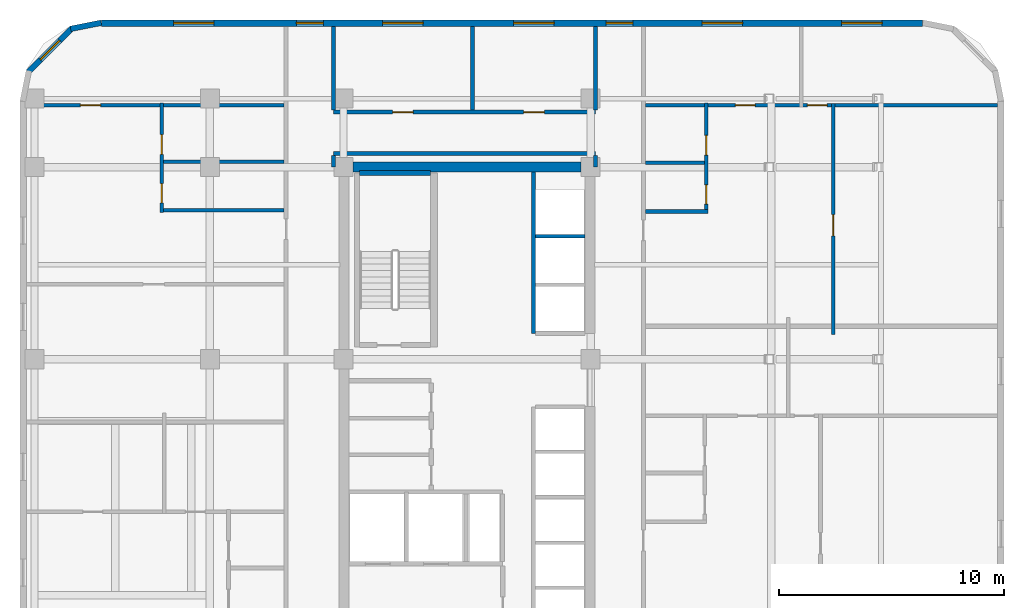
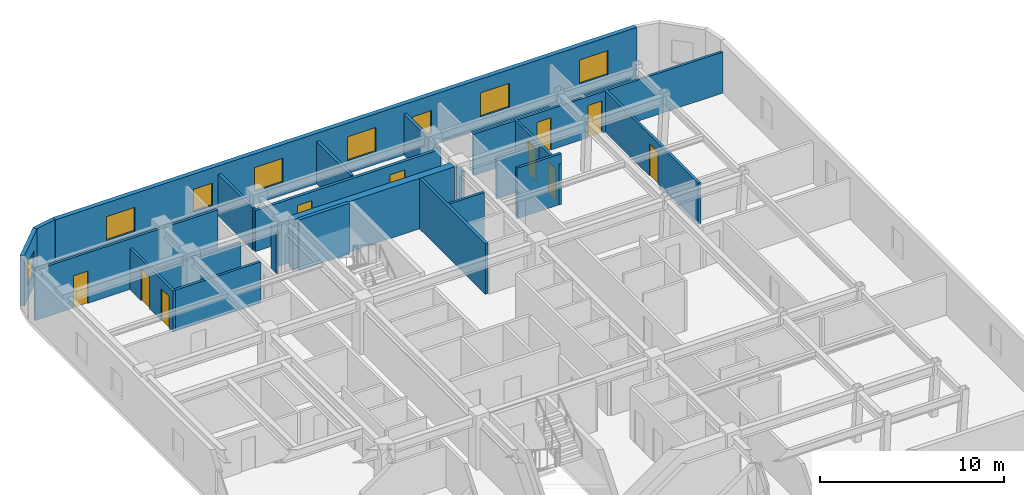
# One storey, part 6 of 8: 23 walls, 10 doors, 8 windows, 18 openings.
"""IFC4 building model written with IfcOpenShell, lengths in metres."""

from ifc_helpers import new_model, si_unit, direction, frame, frame_2d, origin, place, context, subcontext, project, spatial, rectangle, extrude, material, layer, layer_set, type_object, element, fill, save


model = new_model("IFC4")

# Units and contexts
model_context = context("Model", 3, precision=1e-05, world=origin(), true_north=direction((0.0, 1.0)))
body_context = subcontext(model_context, "Body", "Model", "MODEL_VIEW")
ifc_project = project(units=[si_unit("LENGTHUNIT", "METRE"), si_unit("AREAUNIT", "SQUARE_METRE"), si_unit("VOLUMEUNIT", "CUBIC_METRE"), si_unit("PLANEANGLEUNIT", "RADIAN"), si_unit("MASSUNIT", "GRAM", prefix="KILO")], contexts=[model_context])

# Site, building, storey
site_placement = place(None, origin())
site = spatial("IfcSite", under=ifc_project, at=site_placement, CompositionType="ELEMENT")
building_placement = place(site_placement, origin())
building = spatial("IfcBuilding", under=site, at=building_placement, Name="Ochreholt Gables", CompositionType="ELEMENT")
storey_placement = place(building_placement, frame((0.0, 0.0, 91.199951171875)))
storey = spatial("IfcBuildingStorey", under=building, at=storey_placement, Name="L23", CompositionType="ELEMENT", Elevation=91.199951171875)

# Wall
ifc_material_1 = material(Name="Concrete 60 MPa", Category="concrete")
ifc_layer_1 = layer(ifc_material_1, 0.449951171875, Name="Concrete 60 MPa")
ifc_layer_set_1 = layer_set([ifc_layer_1], Name="Concrete 60 MPa")
wall_type_1 = type_object("IfcWallType", Name="WALL-CSW-450", PredefinedType="SHEAR", material=ifc_layer_set_1)
wall_1_placement = place(storey_placement, frame((24.625, 38.75, 0.0), z_axis=(0.0, 0.0, 1.0), x_axis=(1.0, 0.0, 0.0)))
element("IfcWall", 1, at=wall_1_placement, inside=storey, type_object=wall_type_1, Name="L23 Core North Shear Wall", PredefinedType="SHEAR", context=body_context, shape_type="SweptSolid", body=[
    extrude(rectangle(XDim=10.14990234375, YDim=0.449951171875, at=frame_2d((5.074951171875, 0.0))), origin(), (0.0, 0.0, 1.0), 3.360107421875),
])

# Wall, openings, windows
ifc_material_2 = material(Name="Precast concrete 40 MPa", Category="concrete")
ifc_layer_2 = layer(ifc_material_2, 0.280029296875, Name="Precast concrete 40 MPa")
ifc_layer_set_2 = layer_set([ifc_layer_2], Name="Precast concrete 40 MPa")
wall_type_2 = type_object("IfcWallType", Name="WALL-EXT-280", PredefinedType="SOLIDWALL", material=ifc_layer_set_2)
wall_2_placement = place(storey_placement, frame((49.97998046875, 45.159912109375, 0.0), z_axis=(0.0, 0.0, 1.0), x_axis=(-1.0, 0.0, 0.0)))
wall_2 = element("IfcWall", 2, at=wall_2_placement, inside=storey, type_object=wall_type_2, Name="L23 North Exterior Wall", PredefinedType="SOLIDWALL", context=body_context, shape_type="SweptSolid", body=[
    extrude(rectangle(XDim=36.56005859375, YDim=0.280029296875, at=frame_2d((18.280029296875, 0.0))), origin(), (0.0, 0.0, 1.0), 3.360107421875),
])
opening_1_placement = place(wall_2_placement, frame((31.544921875, 0.0, 0.85009765625)))
opening_1 = element("IfcOpeningElement", 3, at=opening_1_placement, cuts=wall_2, Name="Opening WN-1", PredefinedType="OPENING", context=body_context, shape_type="SweptSolid", body=[
    extrude(rectangle(XDim=1.800048828125, YDim=1.60009765625, at=frame_2d((0.89990234375, 0.800048828125))), frame((0.0, 0.14990234375, 0.0), z_axis=(0.0, -1.0, 0.0), x_axis=(1.0, 0.0, 0.0)), (0.0, 0.0, 1.0), 0.300048828125),
])
opening_2_placement = place(wall_2_placement, frame((26.679931640625, 0.0, 0.85009765625)))
opening_2 = element("IfcOpeningElement", 4, at=opening_2_placement, cuts=wall_2, Name="Opening WN-3", PredefinedType="OPENING", context=body_context, shape_type="SweptSolid", body=[
    extrude(rectangle(XDim=1.199951171875, YDim=1.5, at=frame_2d((0.60009765625, 0.75))), frame((0.0, 0.14990234375, 0.0), z_axis=(0.0, -1.0, 0.0), x_axis=(1.0, 0.0, 0.0)), (0.0, 0.0, 1.0), 0.300048828125),
])
opening_3_placement = place(wall_2_placement, frame((22.2373046875, 0.0, 0.85009765625)))
opening_3 = element("IfcOpeningElement", 5, at=opening_3_placement, cuts=wall_2, Name="Opening WN-1", PredefinedType="OPENING", context=body_context, shape_type="SweptSolid", body=[
    extrude(rectangle(XDim=1.800048828125, YDim=1.60009765625, at=frame_2d((0.89990234375, 0.800048828125))), frame((0.0, 0.14990234375, 0.0), z_axis=(0.0, -1.0, 0.0), x_axis=(1.0, 0.0, 0.0)), (0.0, 0.0, 1.0), 0.300048828125),
])
opening_4_placement = place(wall_2_placement, frame((16.40234375, 0.0, 0.85009765625)))
opening_4 = element("IfcOpeningElement", 6, at=opening_4_placement, cuts=wall_2, Name="Opening WN-1", PredefinedType="OPENING", context=body_context, shape_type="SweptSolid", body=[
    extrude(rectangle(XDim=1.800048828125, YDim=1.60009765625, at=frame_2d((0.89990234375, 0.800048828125))), frame((0.0, 0.14990234375, 0.0), z_axis=(0.0, -1.0, 0.0), x_axis=(1.0, 0.0, 0.0)), (0.0, 0.0, 1.0), 0.300048828125),
])
opening_5_placement = place(wall_2_placement, frame((12.89501953125, 0.0, 0.85009765625)))
opening_5 = element("IfcOpeningElement", 7, at=opening_5_placement, cuts=wall_2, Name="Opening WN-3", PredefinedType="OPENING", context=body_context, shape_type="SweptSolid", body=[
    extrude(rectangle(XDim=1.199951171875, YDim=1.5, at=frame_2d((0.60009765625, 0.75))), frame((0.0, 0.14990234375, 0.0), z_axis=(0.0, -1.0, 0.0), x_axis=(1.0, 0.0, 0.0)), (0.0, 0.0, 1.0), 0.300048828125),
])
opening_6_placement = place(wall_2_placement, frame((8.017333984375, 0.0, 0.85009765625)))
opening_6 = element("IfcOpeningElement", 8, at=opening_6_placement, cuts=wall_2, Name="Opening WN-1", PredefinedType="OPENING", context=body_context, shape_type="SweptSolid", body=[
    extrude(rectangle(XDim=1.800048828125, YDim=1.60009765625, at=frame_2d((0.89990234375, 0.800048828125))), frame((0.0, 0.14990234375, 0.0), z_axis=(0.0, -1.0, 0.0), x_axis=(1.0, 0.0, 0.0)), (0.0, 0.0, 1.0), 0.300048828125),
])
opening_7_placement = place(wall_2_placement, frame((1.802490234375, 0.0, 0.85009765625)))
opening_7 = element("IfcOpeningElement", 9, at=opening_7_placement, cuts=wall_2, Name="Opening WN-1", PredefinedType="OPENING", context=body_context, shape_type="SweptSolid", body=[
    extrude(rectangle(XDim=1.800048828125, YDim=1.60009765625, at=frame_2d((0.89990234375, 0.800048828125))), frame((0.0, 0.14990234375, 0.0), z_axis=(0.0, -1.0, 0.0), x_axis=(1.0, 0.0, 0.0)), (0.0, 0.0, 1.0), 0.300048828125),
])
ifc_material_3 = material(Name="Triple-Glazed Thermally Broken Aluminium Window", Category="aluminium")
window_type_1 = type_object("IfcWindowType", Name="WIN-RES-1200", PartitioningType="SINGLE_PANEL", PredefinedType="WINDOW", material=ifc_material_3)
window_1_placement = place(opening_2_placement, origin())
window_1 = element("IfcWindow", 10, at=window_1_placement, inside=storey, type_object=window_type_1, Name="L23 Window W-EXT-N-L23-2", OverallHeight=1.5, OverallWidth=1.199951171875, PartitioningType="SINGLE_PANEL", PredefinedType="WINDOW", context=body_context, shape_type="SweptSolid", body=[
    extrude(rectangle(XDim=1.199951171875, YDim=1.5, at=frame_2d((0.60009765625, 0.75))), frame((0.0, 0.030029296875, 0.0), z_axis=(0.0, -1.0, 0.0), x_axis=(1.0, 0.0, 0.0)), (0.0, 0.0, 1.0), 0.06005859375),
])
fill(opening_2, window_1)
window_2_placement = place(opening_5_placement, origin())
window_2 = element("IfcWindow", 11, at=window_2_placement, inside=storey, type_object=window_type_1, Name="L23 Window W-EXT-N-L23-5", OverallHeight=1.5, OverallWidth=1.199951171875, PartitioningType="SINGLE_PANEL", PredefinedType="WINDOW", context=body_context, shape_type="SweptSolid", body=[
    extrude(rectangle(XDim=1.199951171875, YDim=1.5, at=frame_2d((0.60009765625, 0.75))), frame((0.0, 0.030029296875, 0.0), z_axis=(0.0, -1.0, 0.0), x_axis=(1.0, 0.0, 0.0)), (0.0, 0.0, 1.0), 0.06005859375),
])
fill(opening_5, window_2)
window_type_2 = type_object("IfcWindowType", Name="WIN-RES-1800", PartitioningType="SINGLE_PANEL", PredefinedType="WINDOW", material=ifc_material_3)
window_3_placement = place(opening_1_placement, origin())
window_3 = element("IfcWindow", 12, at=window_3_placement, inside=storey, type_object=window_type_2, Name="L23 Window W-EXT-N-L23-1", OverallHeight=1.60009765625, OverallWidth=1.800048828125, PartitioningType="SINGLE_PANEL", PredefinedType="WINDOW", context=body_context, shape_type="SweptSolid", body=[
    extrude(rectangle(XDim=1.800048828125, YDim=1.60009765625, at=frame_2d((0.89990234375, 0.800048828125))), frame((0.0, 0.030029296875, 0.0), z_axis=(0.0, -1.0, 0.0), x_axis=(1.0, 0.0, 0.0)), (0.0, 0.0, 1.0), 0.06005859375),
])
fill(opening_1, window_3)
window_4_placement = place(opening_3_placement, origin())
window_4 = element("IfcWindow", 13, at=window_4_placement, inside=storey, type_object=window_type_2, Name="L23 Window W-EXT-N-L23-3", OverallHeight=1.60009765625, OverallWidth=1.800048828125, PartitioningType="SINGLE_PANEL", PredefinedType="WINDOW", context=body_context, shape_type="SweptSolid", body=[
    extrude(rectangle(XDim=1.800048828125, YDim=1.60009765625, at=frame_2d((0.89990234375, 0.800048828125))), frame((0.0, 0.030029296875, 0.0), z_axis=(0.0, -1.0, 0.0), x_axis=(1.0, 0.0, 0.0)), (0.0, 0.0, 1.0), 0.06005859375),
])
fill(opening_3, window_4)
window_5_placement = place(opening_4_placement, origin())
window_5 = element("IfcWindow", 14, at=window_5_placement, inside=storey, type_object=window_type_2, Name="L23 Window W-EXT-N-L23-4", OverallHeight=1.60009765625, OverallWidth=1.800048828125, PartitioningType="SINGLE_PANEL", PredefinedType="WINDOW", context=body_context, shape_type="SweptSolid", body=[
    extrude(rectangle(XDim=1.800048828125, YDim=1.60009765625, at=frame_2d((0.89990234375, 0.800048828125))), frame((0.0, 0.030029296875, 0.0), z_axis=(0.0, -1.0, 0.0), x_axis=(1.0, 0.0, 0.0)), (0.0, 0.0, 1.0), 0.06005859375),
])
fill(opening_4, window_5)
window_6_placement = place(opening_6_placement, origin())
window_6 = element("IfcWindow", 15, at=window_6_placement, inside=storey, type_object=window_type_2, Name="L23 Window W-EXT-N-L23-6", OverallHeight=1.60009765625, OverallWidth=1.800048828125, PartitioningType="SINGLE_PANEL", PredefinedType="WINDOW", context=body_context, shape_type="SweptSolid", body=[
    extrude(rectangle(XDim=1.800048828125, YDim=1.60009765625, at=frame_2d((0.89990234375, 0.800048828125))), frame((0.0, 0.030029296875, 0.0), z_axis=(0.0, -1.0, 0.0), x_axis=(1.0, 0.0, 0.0)), (0.0, 0.0, 1.0), 0.06005859375),
])
fill(opening_6, window_6)
window_7_placement = place(opening_7_placement, origin())
window_7 = element("IfcWindow", 16, at=window_7_placement, inside=storey, type_object=window_type_2, Name="L23 Window W-EXT-N-L23-7", OverallHeight=1.60009765625, OverallWidth=1.800048828125, PartitioningType="SINGLE_PANEL", PredefinedType="WINDOW", context=body_context, shape_type="SweptSolid", body=[
    extrude(rectangle(XDim=1.800048828125, YDim=1.60009765625, at=frame_2d((0.89990234375, 0.800048828125))), frame((0.0, 0.030029296875, 0.0), z_axis=(0.0, -1.0, 0.0), x_axis=(1.0, 0.0, 0.0)), (0.0, 0.0, 1.0), 0.06005859375),
])
fill(opening_7, window_7)

# Wall
ifc_layer_3 = layer(ifc_material_2, 0.25, Name="Precast concrete 40 MPa")
ifc_layer_set_3 = layer_set([ifc_layer_3], Name="Precast concrete 40 MPa")
wall_type_3 = type_object("IfcWallType", Name="WALL-EXT-CNR", PredefinedType="SOLIDWALL", material=ifc_layer_set_3)
wall_3_placement = place(storey_placement, frame((13.41650390625, 45.17578125, 0.0), z_axis=(0.0, 0.0, 1.0), x_axis=(-0.980809899341, -0.19496651342, 0.0)))
element("IfcWall", 17, at=wall_3_placement, inside=storey, type_object=wall_type_3, Name="L23 Rounded Corner Wall NW-1", PredefinedType="SOLIDWALL", context=body_context, shape_type="SweptSolid", body=[
    extrude(rectangle(XDim=1.388671875, YDim=0.25, at=frame_2d((0.6943359375, 0.0))), origin(), (0.0, 0.0, 1.0), 3.360107421875),
])

# Wall, opening, window
wall_4_placement = place(storey_placement, frame((12.10498046875, 44.931884765625, 0.0), z_axis=(0.0, 0.0, 1.0), x_axis=(-0.707151344399, -0.707062215165, 0.0)))
wall_4 = element("IfcWall", 18, at=wall_4_placement, inside=storey, type_object=wall_type_3, Name="L23 Rounded Corner Wall NW-2", PredefinedType="SOLIDWALL", context=body_context, shape_type="SweptSolid", body=[
    extrude(rectangle(XDim=2.7392578125, YDim=0.25, at=frame_2d((1.36962890625, 0.0))), origin(), (0.0, 0.0, 1.0), 3.360107421875),
])
opening_8_placement = place(wall_4_placement, frame((0.769775390625, 0.0, 0.85009765625)))
opening_8 = element("IfcOpeningElement", 19, at=opening_8_placement, cuts=wall_4, Name="Opening WN-3", PredefinedType="OPENING", context=body_context, shape_type="SweptSolid", body=[
    extrude(rectangle(XDim=1.199951171875, YDim=1.5, at=frame_2d((0.60009765625, 0.75))), frame((0.0, 0.135009765625, 0.0), z_axis=(0.0, -1.0, 0.0), x_axis=(1.0, 0.0, 0.0)), (0.0, 0.0, 1.0), 0.27001953125),
])
window_8_placement = place(opening_8_placement, origin())
window_8 = element("IfcWindow", 20, at=window_8_placement, inside=storey, type_object=window_type_1, Name="L23 Corner Bedroom Window NW", OverallHeight=1.5, OverallWidth=1.199951171875, PartitioningType="SINGLE_PANEL", PredefinedType="WINDOW", context=body_context, shape_type="SweptSolid", body=[
    extrude(rectangle(XDim=1.199951171875, YDim=1.5, at=frame_2d((0.60009765625, 0.75))), frame((0.0, 0.030029296875, 0.0), z_axis=(0.0, -1.0, 0.0), x_axis=(1.0, 0.0, 0.0)), (0.0, 0.0, 1.0), 0.06005859375),
])
fill(opening_8, window_8)

# Wall, openings, doors
ifc_material_4 = material(Name="Fire-Rated Gypsum Acoustic Partition", Category="gypsum")
ifc_layer_4 = layer(ifc_material_4, 0.179931640625, Name="Fire-Rated Gypsum Acoustic Partition")
ifc_layer_set_4 = layer_set([ifc_layer_4], Name="Fire-Rated Gypsum Acoustic Partition")
wall_type_4 = type_object("IfcWallType", Name="WALL-INT-CR180", PredefinedType="STANDARD", material=ifc_layer_set_4)
wall_5_placement = place(storey_placement, frame((23.75, 41.199951171875, 0.0), z_axis=(0.0, 0.0, 1.0), x_axis=(1.0, 0.0, 0.0)))
wall_5 = element("IfcWall", 21, at=wall_5_placement, inside=storey, type_object=wall_type_4, Name="L23 Interior Wall WI-C1N-L23", PredefinedType="STANDARD", context=body_context, shape_type="SweptSolid", body=[
    extrude(rectangle(XDim=11.669921875, YDim=0.179931640625, at=frame_2d((5.8349609375, 0.0))), origin(), (0.0, 0.0, 1.0), 2.73095703125),
])
opening_9_placement = place(wall_5_placement, frame((2.632568359375, 0.0, 0.0)))
opening_9 = element("IfcOpeningElement", 22, at=opening_9_placement, cuts=wall_5, Name="Opening D-UN1", PredefinedType="OPENING", context=body_context, shape_type="SweptSolid", body=[
    extrude(rectangle(XDim=0.919921875, YDim=2.14990234375, at=frame_2d((0.4599609375, 1.074951171875))), frame((0.0, 0.099853515625, 0.0), z_axis=(0.0, -1.0, 0.0), x_axis=(1.0, 0.0, 0.0)), (0.0, 0.0, 1.0), 0.199951171875),
])
opening_10_placement = place(wall_5_placement, frame((8.467529296875, 0.0, 0.0)))
opening_10 = element("IfcOpeningElement", 23, at=opening_10_placement, cuts=wall_5, Name="Opening D-UN1", PredefinedType="OPENING", context=body_context, shape_type="SweptSolid", body=[
    extrude(rectangle(XDim=0.919921875, YDim=2.14990234375, at=frame_2d((0.4599609375, 1.074951171875))), frame((0.0, 0.099853515625, 0.0), z_axis=(0.0, -1.0, 0.0), x_axis=(1.0, 0.0, 0.0)), (0.0, 0.0, 1.0), 0.199951171875),
])
ifc_material_5 = material(Name="Engineered Oak Timber", Category="wood")
door_type_1 = type_object("IfcDoorType", Name="DR-INT-UNT920", OperationType="NOTDEFINED", PredefinedType="DOOR", material=ifc_material_5)
door_1_placement = place(opening_9_placement, origin())
door_1 = element("IfcDoor", 24, at=door_1_placement, inside=storey, type_object=door_type_1, Name="L23 Door D-U-L23N1-ENT", OperationType="SINGLE_SWING_LEFT", OverallHeight=2.14990234375, OverallWidth=0.919921875, PredefinedType="DOOR", context=body_context, shape_type="SweptSolid", body=[
    extrude(rectangle(XDim=0.919921875, YDim=2.14990234375, at=frame_2d((0.4599609375, 1.074951171875))), frame((0.0, 0.02490234375, 0.0), z_axis=(0.0, -1.0, 0.0), x_axis=(1.0, 0.0, 0.0)), (0.0, 0.0, 1.0), 0.050048828125),
])
fill(opening_9, door_1)
door_2_placement = place(opening_10_placement, origin())
door_2 = element("IfcDoor", 25, at=door_2_placement, inside=storey, type_object=door_type_1, Name="L23 Door D-U-L23N2-ENT", OperationType="SINGLE_SWING_LEFT", OverallHeight=2.14990234375, OverallWidth=0.919921875, PredefinedType="DOOR", context=body_context, shape_type="SweptSolid", body=[
    extrude(rectangle(XDim=0.919921875, YDim=2.14990234375, at=frame_2d((0.4599609375, 1.074951171875))), frame((0.0, 0.02490234375, 0.0), z_axis=(0.0, -1.0, 0.0), x_axis=(1.0, 0.0, 0.0)), (0.0, 0.0, 1.0), 0.050048828125),
])
fill(opening_10, door_2)

# Walls
wall_6_placement = place(storey_placement, frame((23.75, 39.35009765625, 0.0), z_axis=(0.0, 0.0, 1.0), x_axis=(1.0, 0.0, 0.0)))
element("IfcWall", 26, at=wall_6_placement, inside=storey, type_object=wall_type_4, Name="L23 Interior Wall WI-C1N2-L23", PredefinedType="STANDARD", context=body_context, shape_type="SweptSolid", body=[
    extrude(rectangle(XDim=11.669921875, YDim=0.179931640625, at=frame_2d((5.8349609375, 0.0))), origin(), (0.0, 0.0, 1.0), 2.73095703125),
])
for number, where, z_axis, x_axis, name in (
    (27, (35.419921875, 38.75, 0.0), (0.0, 0.0, 1.0), (0.0, 1.0, 0.0), "L23 Interior Wall WI-C1ENW2-L23"),
    (28, (23.75, 38.75, 0.0), (0.0, 0.0, 1.0), (0.0, 1.0, 0.0), "L23 Interior Wall WI-C1NWA2-L23"),
):
    element("IfcWall", number, at=place(storey_placement, frame(where, z_axis=z_axis, x_axis=x_axis)), inside=storey, type_object=wall_type_4, Name=name, PredefinedType="STANDARD", context=body_context, shape_type="SweptSolid", body=[
        extrude(rectangle(XDim=0.510009765625, YDim=0.179931640625, at=frame_2d((0.2548828125, 0.0))), origin(), (0.0, 0.0, 1.0), 2.73095703125),
    ])
ifc_material_6 = material(Name="Double-Stud Acoustic Demising Wall", Category="gypsum")
ifc_layer_5 = layer(ifc_material_6, 0.179931640625, Name="Double-Stud Acoustic Demising Wall")
ifc_layer_set_5 = layer_set([ifc_layer_5], Name="Double-Stud Acoustic Demising Wall")
wall_type_5 = type_object("IfcWallType", Name="WALL-INT-DM180", PredefinedType="PARTITIONING", material=ifc_layer_set_5)
wall_7_placement = place(storey_placement, frame((35.419921875, 41.2900390625, 0.0), z_axis=(0.0, 0.0, 1.0), x_axis=(0.0, 1.0, 0.0)))
element("IfcWall", 29, at=wall_7_placement, inside=storey, type_object=wall_type_5, Name="L23 Interior Wall WI-C1ENW-L23", PredefinedType="PARTITIONING", context=body_context, shape_type="SweptSolid", body=[
    extrude(rectangle(XDim=3.72998046875, YDim=0.179931640625, at=frame_2d((1.864990234375, 0.0))), origin(), (0.0, 0.0, 1.0), 2.73095703125),
])
for number, where, z_axis, x_axis, name in (
    (30, (23.75, 41.2900390625, 0.0), (0.0, 0.0, 1.0), (0.0, 1.0, 0.0), "L23 Interior Wall WI-C1NWA-L23"),
    (31, (29.93505859375, 41.2900390625, 0.0), (0.0, 0.0, 1.0), (0.0, 1.0, 0.0), "L23 Interior Wall WI-UDN-L23"),
):
    element("IfcWall", number, at=place(storey_placement, frame(where, z_axis=z_axis, x_axis=x_axis)), inside=storey, type_object=wall_type_5, Name=name, PredefinedType="PARTITIONING", context=body_context, shape_type="SweptSolid", body=[
        extrude(rectangle(XDim=3.72998046875, YDim=0.179931640625, at=frame_2d((1.864990234375, 0.0))), origin(), (0.0, 0.0, 1.0), 2.80908203125),
    ])
ifc_material_7 = material(Name="Moisture-Resistant Plumbing Chase Wall", Category="gypsum")
ifc_layer_6 = layer(ifc_material_7, 0.159912109375, Name="Moisture-Resistant Plumbing Chase Wall")
ifc_layer_set_6 = layer_set([ifc_layer_6], Name="Moisture-Resistant Plumbing Chase Wall")
wall_type_6 = type_object("IfcWallType", Name="WALL-INT-PL160", PredefinedType="PLUMBINGWALL", material=ifc_layer_set_6)
wall_8_placement = place(storey_placement, frame((37.639892578125, 36.7744140625, 0.0), z_axis=(0.0, 0.0, 1.0), x_axis=(1.0, 0.0, 0.0)))
element("IfcWall", 32, at=wall_8_placement, inside=storey, type_object=wall_type_6, Name="L23 Interior Wall WU-L23E3-FYS", PredefinedType="PLUMBINGWALL", context=body_context, shape_type="SweptSolid", body=[
    extrude(rectangle(XDim=2.7880859375, YDim=0.159912109375, at=frame_2d((1.39404296875, 0.0))), origin(), (0.0, 0.0, 1.0), 3.360107421875),
])

# Wall, openings, doors
wall_9_placement = place(storey_placement, frame((40.347900390625, 36.6845703125, 0.0), z_axis=(0.0, 0.0, 1.0), x_axis=(0.0, 1.0, 0.0)))
wall_9 = element("IfcWall", 33, at=wall_9_placement, inside=storey, type_object=wall_type_6, Name="L23 Interior Wall WU-L23E3-WX", PredefinedType="PLUMBINGWALL", context=body_context, shape_type="SweptSolid", body=[
    extrude(rectangle(XDim=4.91552734375, YDim=0.159912109375, at=frame_2d((2.457763671875, 0.0))), origin(), (0.0, 0.0, 1.0), 2.73095703125),
])
opening_11_placement = place(wall_9_placement, frame((0.419921875, 0.0, 0.0)))
opening_11 = element("IfcOpeningElement", 34, at=opening_11_placement, cuts=wall_9, Name="Opening D-BT1", PredefinedType="OPENING", context=body_context, shape_type="SweptSolid", body=[
    extrude(rectangle(XDim=0.860107421875, YDim=2.1201171875, at=frame_2d((0.43017578125, 1.06005859375))), frame((0.0, 0.08984375, 0.0), z_axis=(0.0, -1.0, 0.0), x_axis=(1.0, 0.0, 0.0)), (0.0, 0.0, 1.0), 0.179931640625),
])
opening_12_placement = place(wall_9_placement, frame((2.598388671875, 0.0, 0.0)))
opening_12 = element("IfcOpeningElement", 35, at=opening_12_placement, cuts=wall_9, Name="Opening D-GN2", PredefinedType="OPENING", context=body_context, shape_type="SweptSolid", body=[
    extrude(rectangle(XDim=0.8798828125, YDim=2.1201171875, at=frame_2d((0.43994140625, 1.06005859375))), frame((0.0, 0.08984375, 0.0), z_axis=(0.0, -1.0, 0.0), x_axis=(1.0, 0.0, 0.0)), (0.0, 0.0, 1.0), 0.179931640625),
])
door_type_2 = type_object("IfcDoorType", Name="DR-INT-BTH860", OperationType="NOTDEFINED", PredefinedType="DOOR", material=ifc_material_5)
door_3_placement = place(opening_11_placement, origin())
door_3 = element("IfcDoor", 36, at=door_3_placement, inside=storey, type_object=door_type_2, Name="L23 Door D-U-L23E3-BTH", OperationType="SINGLE_SWING_LEFT", OverallHeight=2.1201171875, OverallWidth=0.860107421875, PredefinedType="DOOR", context=body_context, shape_type="SweptSolid", body=[
    extrude(rectangle(XDim=0.860107421875, YDim=2.1201171875, at=frame_2d((0.43017578125, 1.06005859375))), frame((0.0, 0.02490234375, 0.0), z_axis=(0.0, -1.0, 0.0), x_axis=(1.0, 0.0, 0.0)), (0.0, 0.0, 1.0), 0.050048828125),
])
fill(opening_11, door_3)
door_type_3 = type_object("IfcDoorType", Name="DR-INT-GEN880", OperationType="NOTDEFINED", PredefinedType="DOOR", material=ifc_material_5)
door_4_placement = place(opening_12_placement, origin())
door_4 = element("IfcDoor", 37, at=door_4_placement, inside=storey, type_object=door_type_3, Name="L23 Door D-U-L23E3-KIT", OperationType="SINGLE_SWING_RIGHT", OverallHeight=2.1201171875, OverallWidth=0.8798828125, PredefinedType="DOOR", context=body_context, shape_type="SweptSolid", body=[
    extrude(rectangle(XDim=0.8798828125, YDim=2.1201171875, at=frame_2d((0.43994140625, 1.06005859375))), frame((0.0, 0.02490234375, 0.0), z_axis=(0.0, -1.0, 0.0), x_axis=(1.0, 0.0, 0.0)), (0.0, 0.0, 1.0), 0.050048828125),
])
fill(opening_12, door_4)

# Walls
wall_10_placement = place(storey_placement, frame((37.639892578125, 38.952880859375, 0.0), z_axis=(0.0, 0.0, 1.0), x_axis=(1.0, 0.0, 0.0)))
element("IfcWall", 38, at=wall_10_placement, inside=storey, type_object=wall_type_6, Name="L23 Interior Wall WU-L23E3-WK", PredefinedType="PLUMBINGWALL", context=body_context, shape_type="SweptSolid", body=[
    extrude(rectangle(XDim=2.628173828125, YDim=0.159912109375, at=frame_2d((1.31396484375, 0.0))), origin(), (0.0, 0.0, 1.0), 2.73095703125),
])
wall_11_placement = place(storey_placement, frame((16.030029296875, 36.83154296875, 0.0), z_axis=(0.0, 0.0, 1.0), x_axis=(1.0, 0.0, 0.0)))
element("IfcWall", 39, at=wall_11_placement, inside=storey, type_object=wall_type_6, Name="L23 Interior Wall WU-L23W3-FYS", PredefinedType="PLUMBINGWALL", context=body_context, shape_type="SweptSolid", body=[
    extrude(rectangle(XDim=5.530029296875, YDim=0.159912109375, at=frame_2d((2.76513671875, 0.0))), origin(), (0.0, 0.0, 1.0), 2.73095703125),
])

# Wall, openings, doors
wall_12_placement = place(storey_placement, frame((16.110107421875, 36.741455078125, 0.0), z_axis=(0.0, 0.0, 1.0), x_axis=(0.0, 1.0, 0.0)))
wall_12 = element("IfcWall", 40, at=wall_12_placement, inside=storey, type_object=wall_type_6, Name="L23 Interior Wall WU-L23W3-WX", PredefinedType="PLUMBINGWALL", context=body_context, shape_type="SweptSolid", body=[
    extrude(rectangle(XDim=4.858642578125, YDim=0.159912109375, at=frame_2d((2.42919921875, 0.0))), origin(), (0.0, 0.0, 1.0), 2.73095703125),
])
opening_13_placement = place(wall_12_placement, frame((0.419921875, 0.0, 0.0)))
opening_13 = element("IfcOpeningElement", 41, at=opening_13_placement, cuts=wall_12, Name="Opening D-BT1", PredefinedType="OPENING", context=body_context, shape_type="SweptSolid", body=[
    extrude(rectangle(XDim=0.860107421875, YDim=2.1201171875, at=frame_2d((0.43017578125, 1.06005859375))), frame((0.0, 0.08984375, 0.0), z_axis=(0.0, -1.0, 0.0), x_axis=(1.0, 0.0, 0.0)), (0.0, 0.0, 1.0), 0.179931640625),
])
opening_14_placement = place(wall_12_placement, frame((2.572021484375, 0.0, 0.0)))
opening_14 = element("IfcOpeningElement", 42, at=opening_14_placement, cuts=wall_12, Name="Opening D-GN2", PredefinedType="OPENING", context=body_context, shape_type="SweptSolid", body=[
    extrude(rectangle(XDim=0.8798828125, YDim=2.1201171875, at=frame_2d((0.43994140625, 1.06005859375))), frame((0.0, 0.08984375, 0.0), z_axis=(0.0, -1.0, 0.0), x_axis=(1.0, 0.0, 0.0)), (0.0, 0.0, 1.0), 0.179931640625),
])
door_5_placement = place(opening_13_placement, origin())
door_5 = element("IfcDoor", 43, at=door_5_placement, inside=storey, type_object=door_type_2, Name="L23 Door D-U-L23W3-BTH", OperationType="SINGLE_SWING_RIGHT", OverallHeight=2.1201171875, OverallWidth=0.860107421875, PredefinedType="DOOR", context=body_context, shape_type="SweptSolid", body=[
    extrude(rectangle(XDim=0.860107421875, YDim=2.1201171875, at=frame_2d((0.43017578125, 1.06005859375))), frame((0.0, 0.02490234375, 0.0), z_axis=(0.0, -1.0, 0.0), x_axis=(1.0, 0.0, 0.0)), (0.0, 0.0, 1.0), 0.050048828125),
])
fill(opening_13, door_5)
door_6_placement = place(opening_14_placement, origin())
door_6 = element("IfcDoor", 44, at=door_6_placement, inside=storey, type_object=door_type_3, Name="L23 Door D-U-L23W3-KIT", OperationType="SINGLE_SWING_LEFT", OverallHeight=2.1201171875, OverallWidth=0.8798828125, PredefinedType="DOOR", context=body_context, shape_type="SweptSolid", body=[
    extrude(rectangle(XDim=0.8798828125, YDim=2.1201171875, at=frame_2d((0.43994140625, 1.06005859375))), frame((0.0, 0.02490234375, 0.0), z_axis=(0.0, -1.0, 0.0), x_axis=(1.0, 0.0, 0.0)), (0.0, 0.0, 1.0), 0.050048828125),
])
fill(opening_14, door_6)

# Wall
wall_13_placement = place(storey_placement, frame((16.18994140625, 38.983642578125, 0.0), z_axis=(0.0, 0.0, 1.0), x_axis=(1.0, 0.0, 0.0)))
element("IfcWall", 45, at=wall_13_placement, inside=storey, type_object=wall_type_6, Name="L23 Interior Wall WU-L23W3-WK", PredefinedType="PLUMBINGWALL", context=body_context, shape_type="SweptSolid", body=[
    extrude(rectangle(XDim=5.3701171875, YDim=0.159912109375, at=frame_2d((2.68505859375, 0.0))), origin(), (0.0, 0.0, 1.0), 2.73095703125),
])

# Wall, openings, doors
ifc_material_8 = material(Name="Gypsum Acoustic Stud Partition", Category="gypsum")
ifc_layer_7 = layer(ifc_material_8, 0.159912109375, Name="Gypsum Acoustic Stud Partition")
ifc_layer_set_7 = layer_set([ifc_layer_7], Name="Gypsum Acoustic Stud Partition")
wall_type_7 = type_object("IfcWallType", Name="WALL-INT-PT160", PredefinedType="PARTITIONING", material=ifc_layer_set_7)
wall_14_placement = place(storey_placement, frame((37.639892578125, 41.510009765625, 0.0), z_axis=(0.0, 0.0, 1.0), x_axis=(1.0, 0.0, 0.0)))
wall_14 = element("IfcWall", 46, at=wall_14_placement, inside=storey, type_object=wall_type_7, Name="L23 Interior Wall WU-L23E3-MN", PredefinedType="PARTITIONING", context=body_context, shape_type="SweptSolid", body=[
    extrude(rectangle(XDim=15.68017578125, YDim=0.159912109375, at=frame_2d((7.840087890625, 0.0))), origin(), (0.0, 0.0, 1.0), 2.73095703125),
])
opening_15_placement = place(wall_14_placement, frame((4.006591796875, 0.0, 0.0)))
opening_15 = element("IfcOpeningElement", 47, at=opening_15_placement, cuts=wall_14, Name="Opening D-BD2", PredefinedType="OPENING", context=body_context, shape_type="SweptSolid", body=[
    extrude(rectangle(XDim=0.8798828125, YDim=2.139892578125, at=frame_2d((0.43994140625, 1.06982421875))), frame((0.0, 0.08984375, 0.0), z_axis=(0.0, -1.0, 0.0), x_axis=(1.0, 0.0, 0.0)), (0.0, 0.0, 1.0), 0.179931640625),
])
opening_16_placement = place(wall_14_placement, frame((7.205078125, 0.0, 0.0)))
opening_16 = element("IfcOpeningElement", 48, at=opening_16_placement, cuts=wall_14, Name="Opening D-BD2", PredefinedType="OPENING", context=body_context, shape_type="SweptSolid", body=[
    extrude(rectangle(XDim=0.8798828125, YDim=2.139892578125, at=frame_2d((0.43994140625, 1.06982421875))), frame((0.0, 0.08984375, 0.0), z_axis=(0.0, -1.0, 0.0), x_axis=(1.0, 0.0, 0.0)), (0.0, 0.0, 1.0), 0.179931640625),
])
door_type_4 = type_object("IfcDoorType", Name="DR-INT-BED880", OperationType="NOTDEFINED", PredefinedType="DOOR", material=ifc_material_5)
door_7_placement = place(opening_15_placement, origin())
door_7 = element("IfcDoor", 49, at=door_7_placement, inside=storey, type_object=door_type_4, Name="L23 Door D-U-L23E3-BD1", OperationType="SINGLE_SWING_RIGHT", OverallHeight=2.139892578125, OverallWidth=0.8798828125, PredefinedType="DOOR", context=body_context, shape_type="SweptSolid", body=[
    extrude(rectangle(XDim=0.8798828125, YDim=2.139892578125, at=frame_2d((0.43994140625, 1.06982421875))), frame((0.0, 0.02490234375, 0.0), z_axis=(0.0, -1.0, 0.0), x_axis=(1.0, 0.0, 0.0)), (0.0, 0.0, 1.0), 0.050048828125),
])
fill(opening_15, door_7)
door_8_placement = place(opening_16_placement, origin())
door_8 = element("IfcDoor", 50, at=door_8_placement, inside=storey, type_object=door_type_4, Name="L23 Door D-U-L23E3-BD2", OperationType="SINGLE_SWING_LEFT", OverallHeight=2.139892578125, OverallWidth=0.8798828125, PredefinedType="DOOR", context=body_context, shape_type="SweptSolid", body=[
    extrude(rectangle(XDim=0.8798828125, YDim=2.139892578125, at=frame_2d((0.43994140625, 1.06982421875))), frame((0.0, 0.02490234375, 0.0), z_axis=(0.0, -1.0, 0.0), x_axis=(1.0, 0.0, 0.0)), (0.0, 0.0, 1.0), 0.050048828125),
])
fill(opening_16, door_8)

# Wall, opening, door
wall_15_placement = place(storey_placement, frame((46.005126953125, 31.30810546875, 0.0), z_axis=(0.0, 0.0, 1.0), x_axis=(0.0, 1.0, 0.0)))
wall_15 = element("IfcWall", 51, at=wall_15_placement, inside=storey, type_object=wall_type_7, Name="L23 Interior Wall WU-L23E3-DNV", PredefinedType="PARTITIONING", context=body_context, shape_type="SweptSolid", body=[
    extrude(rectangle(XDim=10.281982421875, YDim=0.159912109375, at=frame_2d((5.14111328125, 0.0))), origin(), (0.0, 0.0, 1.0), 2.73095703125),
])
opening_17_placement = place(wall_15_placement, frame((4.381103515625, 0.0, 0.0)))
opening_17 = element("IfcOpeningElement", 52, at=opening_17_placement, cuts=wall_15, Name="Opening D-GN1", PredefinedType="OPENING", context=body_context, shape_type="SweptSolid", body=[
    extrude(rectangle(XDim=0.949951171875, YDim=2.14990234375, at=frame_2d((0.47509765625, 1.074951171875))), frame((0.0, 0.08984375, 0.0), z_axis=(0.0, -1.0, 0.0), x_axis=(1.0, 0.0, 0.0)), (0.0, 0.0, 1.0), 0.179931640625),
])
door_type_5 = type_object("IfcDoorType", Name="DR-INT-GEN950", OperationType="NOTDEFINED", PredefinedType="DOOR", material=ifc_material_5)
door_9_placement = place(opening_17_placement, origin())
door_9 = element("IfcDoor", 53, at=door_9_placement, inside=storey, type_object=door_type_5, Name="L23 Door D-U-L23E3-DIN", OperationType="SINGLE_SWING_LEFT", OverallHeight=2.14990234375, OverallWidth=0.949951171875, PredefinedType="DOOR", context=body_context, shape_type="SweptSolid", body=[
    extrude(rectangle(XDim=0.949951171875, YDim=2.14990234375, at=frame_2d((0.47509765625, 1.074951171875))), frame((0.0, 0.02490234375, 0.0), z_axis=(0.0, -1.0, 0.0), x_axis=(1.0, 0.0, 0.0)), (0.0, 0.0, 1.0), 0.050048828125),
])
fill(opening_17, door_9)

wall_16_placement = place(storey_placement, frame((10.080078125, 41.510009765625, 0.0), z_axis=(0.0, 0.0, 1.0), x_axis=(1.0, 0.0, 0.0)))
wall_16 = element("IfcWall", 54, at=wall_16_placement, inside=storey, type_object=wall_type_7, Name="L23 Interior Wall WU-L23W3-MN", PredefinedType="PARTITIONING", context=body_context, shape_type="SweptSolid", body=[
    extrude(rectangle(XDim=11.47998046875, YDim=0.159912109375, at=frame_2d((5.739990234375, 0.0))), origin(), (0.0, 0.0, 1.0), 3.360107421875),
])
opening_18_placement = place(wall_16_placement, frame((2.409912109375, 0.0, 0.0)))
opening_18 = element("IfcOpeningElement", 55, at=opening_18_placement, cuts=wall_16, Name="Opening D-BD1", PredefinedType="OPENING", context=body_context, shape_type="SweptSolid", body=[
    extrude(rectangle(XDim=0.89990234375, YDim=2.139892578125, at=frame_2d((0.449951171875, 1.06982421875))), frame((0.0, 0.08984375, 0.0), z_axis=(0.0, -1.0, 0.0), x_axis=(1.0, 0.0, 0.0)), (0.0, 0.0, 1.0), 0.179931640625),
])
door_type_6 = type_object("IfcDoorType", Name="DR-INT-BED900", OperationType="NOTDEFINED", PredefinedType="DOOR", material=ifc_material_5)
door_10_placement = place(opening_18_placement, origin())
door_10 = element("IfcDoor", 56, at=door_10_placement, inside=storey, type_object=door_type_6, Name="L23 Door D-U-L23W3-BD1", OperationType="SINGLE_SWING_RIGHT", OverallHeight=2.139892578125, OverallWidth=0.89990234375, PredefinedType="DOOR", context=body_context, shape_type="SweptSolid", body=[
    extrude(rectangle(XDim=0.89990234375, YDim=2.139892578125, at=frame_2d((0.449951171875, 1.06982421875))), frame((0.0, 0.02490234375, 0.0), z_axis=(0.0, -1.0, 0.0), x_axis=(1.0, 0.0, 0.0)), (0.0, 0.0, 1.0), 0.050048828125),
])
fill(opening_18, door_10)

# Walls
ifc_material_9 = material(Name="Gypsum Shaftliner and Steel Stud", Category="steel")
ifc_layer_8 = layer(ifc_material_9, 0.14990234375, Name="Gypsum Shaftliner and Steel Stud")
ifc_layer_set_8 = layer_set([ifc_layer_8], Name="Gypsum Shaftliner and Steel Stud")
wall_type_8 = type_object("IfcWallType", Name="WALL-INT-SH150", PredefinedType="STANDARD", material=ifc_layer_set_8)
wall_17_placement = place(storey_placement, frame((32.739990234375, 35.669921875, 0.0), z_axis=(0.0, 0.0, 1.0), x_axis=(1.0, 0.0, 0.0)))
element("IfcWall", 57, at=wall_17_placement, inside=storey, type_object=wall_type_8, Name="L23 Interior Wall WI-LFM-D2-L23", PredefinedType="STANDARD", context=body_context, shape_type="SweptSolid", body=[
    extrude(rectangle(XDim=2.2099609375, YDim=0.14990234375, at=frame_2d((1.10498046875, 0.0))), origin(), (0.0, 0.0, 1.0), 3.360107421875),
])
ifc_layer_9 = layer(ifc_material_9, 0.179931640625, Name="Gypsum Shaftliner and Steel Stud")
ifc_layer_set_9 = layer_set([ifc_layer_9], Name="Gypsum Shaftliner and Steel Stud")
wall_type_9 = type_object("IfcWallType", Name="WALL-INT-SH180", PredefinedType="STANDARD", material=ifc_layer_set_9)
wall_18_placement = place(storey_placement, frame((32.64990234375, 31.35009765625, 0.0), z_axis=(0.0, 0.0, 1.0), x_axis=(0.0, 1.0, 0.0)))
element("IfcWall", 58, at=wall_18_placement, inside=storey, type_object=wall_type_9, Name="L23 Interior Wall WI-LFM-FR-L23", PredefinedType="STANDARD", context=body_context, shape_type="SweptSolid", body=[
    extrude(rectangle(XDim=7.1748046875, YDim=0.179931640625, at=frame_2d((3.58740234375, 0.0))), origin(), (0.0, 0.0, 1.0), 3.360107421875),
])
ifc_material_10 = material(Name="Concrete 50 MPa", Category="concrete")
ifc_layer_10 = layer(ifc_material_10, 0.219970703125, Name="Concrete 50 MPa")
ifc_layer_set_10 = layer_set([ifc_layer_10], Name="Concrete 50 MPa")
wall_type_10 = type_object("IfcWallType", Name="WALL-STW-220", PredefinedType="SHEAR", material=ifc_layer_set_10)
wall_19_placement = place(storey_placement, frame((24.919921875, 38.489990234375, 0.0), z_axis=(0.0, 0.0, 1.0), x_axis=(1.0, 0.0, 0.0)))
element("IfcWall", 59, at=wall_19_placement, inside=storey, type_object=wall_type_10, Name="L23 Exit Stair 2 North Wall", PredefinedType="SHEAR", context=body_context, shape_type="SweptSolid", body=[
    extrude(rectangle(XDim=3.16015625, YDim=0.219970703125, at=frame_2d((1.580078125, 0.0))), origin(), (0.0, 0.0, 1.0), 3.360107421875),
])

save(model, "model.ifc")
